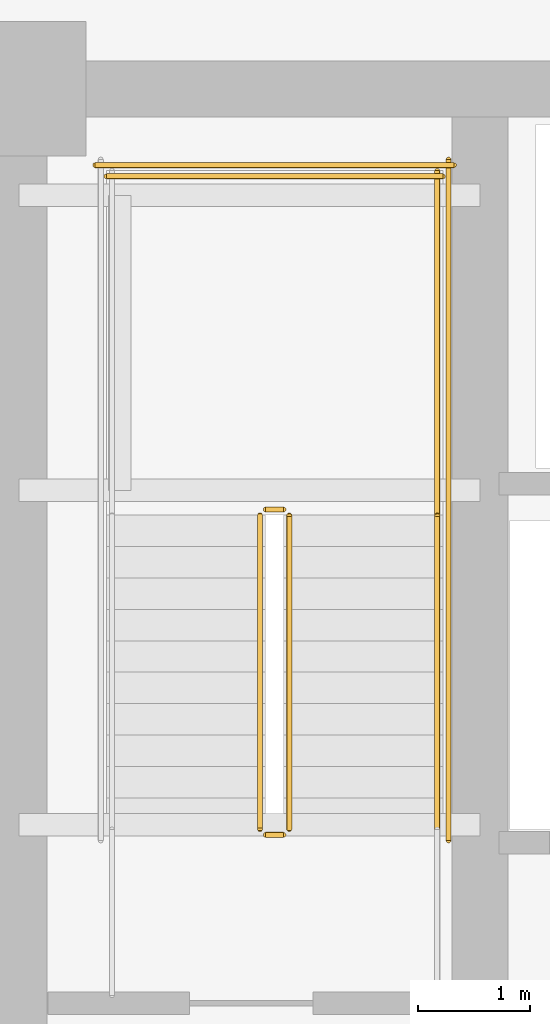
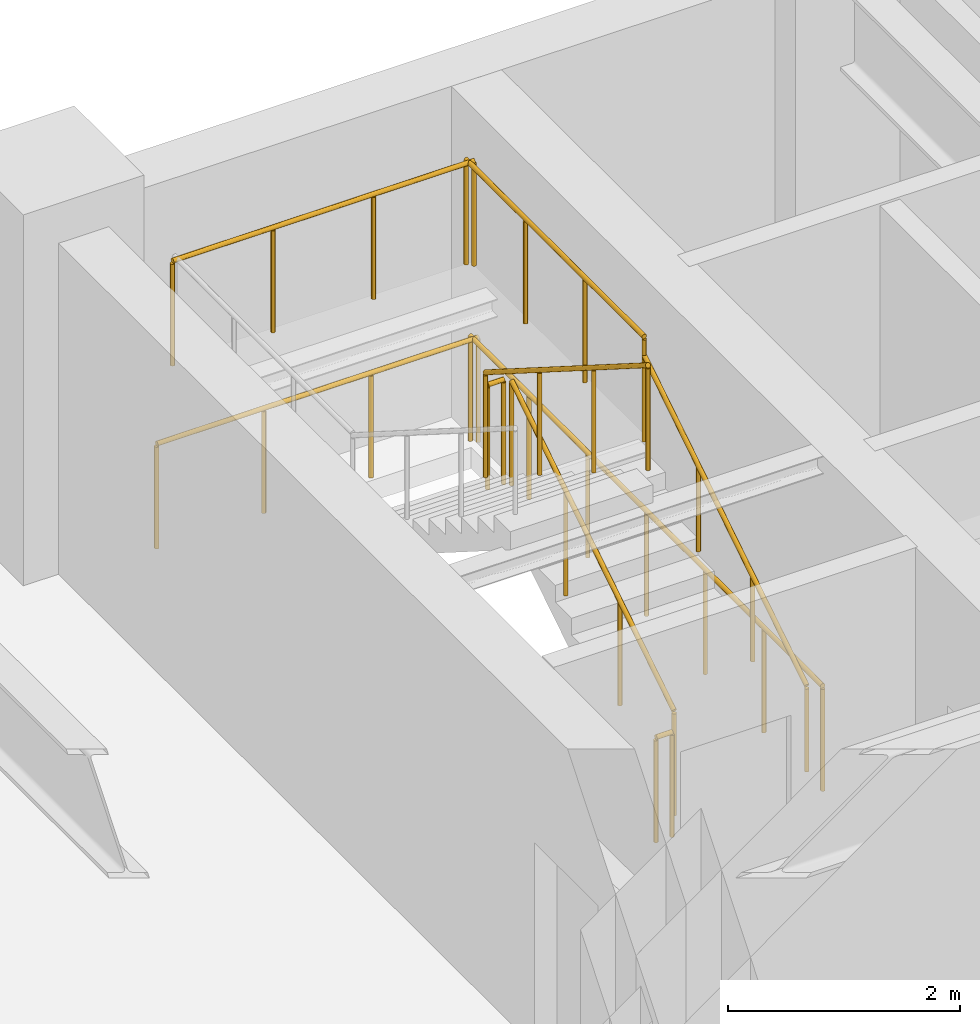
# One storey, part 5 of 7: 9 railings.
"""IFC4 building model written with IfcOpenShell, lengths in metres."""

from ifc_helpers import new_model, si_unit, direction, frame, origin, origin_2d, place, context, subcontext, project, spatial, circle, extrude, material, layer, layer_set, type_object, element, save


model = new_model("IFC4")

# Units and contexts
model_context = context("Model", 3, precision=1e-05, world=origin(), true_north=direction((0.0, 1.0)))
body_context = subcontext(model_context, "Body", "Model", "MODEL_VIEW")
ifc_project = project(units=[si_unit("LENGTHUNIT", "METRE"), si_unit("AREAUNIT", "SQUARE_METRE"), si_unit("VOLUMEUNIT", "CUBIC_METRE"), si_unit("PLANEANGLEUNIT", "RADIAN"), si_unit("MASSUNIT", "GRAM", prefix="KILO")], contexts=[model_context])

# Site, building, storey
site_placement = place(None, origin())
site = spatial("IfcSite", under=ifc_project, at=site_placement, CompositionType="ELEMENT")
building_placement = place(site_placement, origin())
building = spatial("IfcBuilding", under=site, at=building_placement, Name="Yelkora Congress Tower", CompositionType="ELEMENT")
storey_placement = place(building_placement, frame((0.0, 0.0, 81.89990234375)))
storey = spatial("IfcBuildingStorey", under=building, at=storey_placement, Name="L21", CompositionType="ELEMENT", Elevation=81.89990234375)

# Railings
ifc_material_1 = material(Name="Painted galvanised steel stair well guard with vertical infill", Category="steel")
ifc_layer_1 = layer(ifc_material_1, 0.06005859375)
ifc_layer_set_1 = layer_set([ifc_layer_1], Name="Painted galvanised steel stair well guard with vertical infill")
railing_type_1 = type_object("IfcRailingType", Name="RAIL-STAIR-GUARD-1120", PredefinedType="GUARDRAIL", material=ifc_layer_set_1)
railing_1_placement = place(storey_placement, frame((25.449951171875, 39.60009765625, 0.177490234375)))
element("IfcRailing", 1, at=railing_1_placement, inside=storey, type_object=railing_type_1, Name="ST-01 L21 Stair Well Guardrail 1", PredefinedType="GUARDRAIL", context=body_context, shape_type="SweptSolid", body=[
    extrude(circle(Radius=0.02392578125, at=origin_2d()), frame((0.0, 0.0, 1.09619140625), z_axis=(0.0, 0.844887892834, 0.53494340686), x_axis=(-1.0, 0.0, 0.0)), (0.0, 0.0, 1.0), 3.313720703125),
    extrude(circle(Radius=0.02099609375, at=origin_2d()), origin(), (0.0, 0.0, 1.0), 1.072021484375),
    extrude(circle(Radius=0.02099609375, at=origin_2d()), frame((0.0, 0.933349609375, 0.5908203125)), (0.0, 0.0, 1.0), 1.072021484375),
    extrude(circle(Radius=0.02099609375, at=origin_2d()), frame((0.0, 1.866455078125, 1.181884765625)), (0.0, 0.0, 1.0), 1.072021484375),
    extrude(circle(Radius=0.02099609375, at=origin_2d()), frame((0.0, 2.7998046875, 1.772705078125)), (0.0, 0.0, 1.0), 1.072021484375),
])
railing_2_placement = place(storey_placement, frame((25.39990234375, 42.449951171875, 1.9501953125)))
element("IfcRailing", 2, at=railing_2_placement, inside=storey, type_object=railing_type_1, Name="ST-01 L21 Stair Well Guardrail 2", PredefinedType="GUARDRAIL", context=body_context, shape_type="SweptSolid", body=[
    extrude(circle(Radius=0.02392578125, at=origin_2d()), frame((0.0, 0.0, 1.09619140625), z_axis=(-1.0, 0.0, 0.0), x_axis=(0.0, -1.0, 0.0)), (0.0, 0.0, 1.0), 0.159912109375),
    extrude(circle(Radius=0.02099609375, at=origin_2d()), origin(), (0.0, 0.0, 1.0), 1.072021484375),
    extrude(circle(Radius=0.02099609375, at=origin_2d()), frame((-0.159912109375, 0.0, 0.0)), (0.0, 0.0, 1.0), 1.072021484375),
])
railing_3_placement = place(storey_placement, frame((26.77001953125, 42.39990234375, 1.9501953125)))
element("IfcRailing", 3, at=railing_3_placement, inside=storey, type_object=railing_type_1, Name="ST-01 L21 Stair Well Guardrail 3", PredefinedType="GUARDRAIL", context=body_context, shape_type="SweptSolid", body=[
    extrude(circle(Radius=0.02392578125, at=origin_2d()), frame((0.0, 0.0, 1.09619140625), z_axis=(0.0, 1.0, 0.0), x_axis=(-1.0, 0.0, 0.0)), (0.0, 0.0, 1.0), 3.070068359375),
    extrude(circle(Radius=0.02099609375, at=origin_2d()), origin(), (0.0, 0.0, 1.0), 1.072021484375),
    extrude(circle(Radius=0.02099609375, at=origin_2d()), frame((0.0, 1.0234375, 0.0)), (0.0, 0.0, 1.0), 1.072021484375),
    extrude(circle(Radius=0.02099609375, at=origin_2d()), frame((0.0, 2.046630859375, 0.0)), (0.0, 0.0, 1.0), 1.072021484375),
    extrude(circle(Radius=0.02099609375, at=origin_2d()), frame((0.0, 3.070068359375, 0.0)), (0.0, 0.0, 1.0), 1.072021484375),
])
railing_4_placement = place(storey_placement, frame((26.820068359375, 45.419921875, 1.9501953125)))
element("IfcRailing", 4, at=railing_4_placement, inside=storey, type_object=railing_type_1, Name="ST-01 L21 Stair Well Guardrail 5", PredefinedType="GUARDRAIL", context=body_context, shape_type="SweptSolid", body=[
    extrude(circle(Radius=0.02392578125, at=origin_2d()), frame((0.0, 0.0, 1.09619140625), z_axis=(-1.0, 0.0, 0.0), x_axis=(0.0, -1.0, 0.0)), (0.0, 0.0, 1.0), 3.0),
    extrude(circle(Radius=0.02099609375, at=origin_2d()), origin(), (0.0, 0.0, 1.0), 1.072021484375),
    extrude(circle(Radius=0.02099609375, at=origin_2d()), frame((-1.0, 0.0, 0.0)), (0.0, 0.0, 1.0), 1.072021484375),
    extrude(circle(Radius=0.02099609375, at=origin_2d()), frame((-2.0, 0.0, 0.0)), (0.0, 0.0, 1.0), 1.072021484375),
    extrude(circle(Radius=0.02099609375, at=origin_2d()), frame((-3.0, 0.0, 0.0)), (0.0, 0.0, 1.0), 1.072021484375),
])
railing_5_placement = place(storey_placement, frame((25.18994140625, 42.39990234375, 2.12744140625)))
element("IfcRailing", 5, at=railing_5_placement, inside=storey, type_object=railing_type_1, Name="ST-01 L21 Stair Well Guardrail 6", PredefinedType="GUARDRAIL", context=body_context, shape_type="SweptSolid", body=[
    extrude(circle(Radius=0.02392578125, at=origin_2d()), frame((0.0, 0.0, 1.09619140625), z_axis=(0.0, -0.844887892834, 0.53494340686), x_axis=(1.0, 0.0, 0.0)), (0.0, 0.0, 1.0), 3.313720703125),
    extrude(circle(Radius=0.02099609375, at=origin_2d()), origin(), (0.0, 0.0, 1.0), 1.072021484375),
    extrude(circle(Radius=0.02099609375, at=origin_2d()), frame((0.0, -0.933349609375, 0.5908203125)), (0.0, 0.0, 1.0), 1.072021484375),
    extrude(circle(Radius=0.02099609375, at=origin_2d()), frame((0.0, -1.866455078125, 1.181884765625)), (0.0, 0.0, 1.0), 1.072021484375),
    extrude(circle(Radius=0.02099609375, at=origin_2d()), frame((0.0, -2.7998046875, 1.772705078125)), (0.0, 0.0, 1.0), 1.072021484375),
])
railing_6_placement = place(storey_placement, frame((25.39990234375, 39.550048828125, 0.0)))
element("IfcRailing", 6, at=railing_6_placement, inside=storey, type_object=railing_type_1, Name="ST-01 L21 Stair Well Guardrail 7", PredefinedType="GUARDRAIL", context=body_context, shape_type="SweptSolid", body=[
    extrude(circle(Radius=0.02392578125, at=origin_2d()), frame((0.0, 0.0, 1.09619140625), z_axis=(-1.0, 0.0, 0.0), x_axis=(0.0, -1.0, 0.0)), (0.0, 0.0, 1.0), 0.159912109375),
    extrude(circle(Radius=0.02099609375, at=origin_2d()), origin(), (0.0, 0.0, 1.0), 1.072021484375),
    extrude(circle(Radius=0.02099609375, at=origin_2d()), frame((-0.159912109375, 0.0, 0.0)), (0.0, 0.0, 1.0), 1.072021484375),
])
railing_7_placement = place(storey_placement, frame((26.8701171875, 39.5, 0.0)))
element("IfcRailing", 7, at=railing_7_placement, inside=storey, type_object=railing_type_1, Name="ST-01 L21 Stair Well Guardrail 10", PredefinedType="GUARDRAIL", context=body_context, shape_type="SweptSolid", body=[
    extrude(circle(Radius=0.02392578125, at=origin_2d()), frame((0.0, 0.0, 1.09619140625), z_axis=(0.0, 1.0, 0.0), x_axis=(-1.0, 0.0, 0.0)), (0.0, 0.0, 1.0), 6.070068359375),
    extrude(circle(Radius=0.02099609375, at=origin_2d()), origin(), (0.0, 0.0, 1.0), 1.072021484375),
    extrude(circle(Radius=0.02099609375, at=origin_2d()), frame((0.0, 1.01171875, 0.0)), (0.0, 0.0, 1.0), 1.072021484375),
    extrude(circle(Radius=0.02099609375, at=origin_2d()), frame((0.0, 2.0234375, 0.0)), (0.0, 0.0, 1.0), 1.072021484375),
    extrude(circle(Radius=0.02099609375, at=origin_2d()), frame((0.0, 3.03515625, 0.0)), (0.0, 0.0, 1.0), 1.072021484375),
    extrude(circle(Radius=0.02099609375, at=origin_2d()), frame((0.0, 4.046630859375, 0.0)), (0.0, 0.0, 1.0), 1.072021484375),
    extrude(circle(Radius=0.02099609375, at=origin_2d()), frame((0.0, 5.058349609375, 0.0)), (0.0, 0.0, 1.0), 1.072021484375),
    extrude(circle(Radius=0.02099609375, at=origin_2d()), frame((0.0, 6.070068359375, 0.0)), (0.0, 0.0, 1.0), 1.072021484375),
])
railing_8_placement = place(storey_placement, frame((26.919921875, 45.52001953125, 0.0)))
element("IfcRailing", 8, at=railing_8_placement, inside=storey, type_object=railing_type_1, Name="ST-01 L21 Stair Well Guardrail 12", PredefinedType="GUARDRAIL", context=body_context, shape_type="SweptSolid", body=[
    extrude(circle(Radius=0.02392578125, at=origin_2d()), frame((0.0, 0.0, 1.09619140625), z_axis=(-1.0, 0.0, 0.0), x_axis=(0.0, -1.0, 0.0)), (0.0, 0.0, 1.0), 3.199951171875),
    extrude(circle(Radius=0.02099609375, at=origin_2d()), origin(), (0.0, 0.0, 1.0), 1.072021484375),
    extrude(circle(Radius=0.02099609375, at=origin_2d()), frame((-1.066650390625, 0.0, 0.0)), (0.0, 0.0, 1.0), 1.072021484375),
    extrude(circle(Radius=0.02099609375, at=origin_2d()), frame((-2.13330078125, 0.0, 0.0)), (0.0, 0.0, 1.0), 1.072021484375),
    extrude(circle(Radius=0.02099609375, at=origin_2d()), frame((-3.199951171875, 0.0, 0.0)), (0.0, 0.0, 1.0), 1.072021484375),
])
ifc_material_2 = material(Name="Brushed stainless steel tubular handrail", Category="steel")
ifc_layer_2 = layer(ifc_material_2, 0.050048828125)
ifc_layer_set_2 = layer_set([ifc_layer_2], Name="Brushed stainless steel tubular handrail")
railing_type_2 = type_object("IfcRailingType", Name="RAIL-STAIR-HAND-920", PredefinedType="HANDRAIL", material=ifc_layer_set_2)
railing_9_placement = place(storey_placement, frame((26.77001953125, 39.60009765625, 0.177490234375)))
element("IfcRailing", 9, at=railing_9_placement, inside=storey, type_object=railing_type_2, Name="ST-01 L21 Pitch Handrail 1", PredefinedType="HANDRAIL", context=body_context, shape_type="SweptSolid", body=[
    extrude(circle(Radius=0.02392578125, at=origin_2d()), frame((0.0, 0.0, 0.89599609375), z_axis=(0.0, 0.844887892834, 0.53494340686), x_axis=(-1.0, 0.0, 0.0)), (0.0, 0.0, 1.0), 3.313720703125),
    extrude(circle(Radius=0.02099609375, at=origin_2d()), origin(), (0.0, 0.0, 1.0), 0.871826171875),
    extrude(circle(Radius=0.02099609375, at=origin_2d()), frame((0.0, 0.933349609375, 0.5908203125)), (0.0, 0.0, 1.0), 0.871826171875),
    extrude(circle(Radius=0.02099609375, at=origin_2d()), frame((0.0, 1.866455078125, 1.181884765625)), (0.0, 0.0, 1.0), 0.871826171875),
    extrude(circle(Radius=0.02099609375, at=origin_2d()), frame((0.0, 2.7998046875, 1.772705078125)), (0.0, 0.0, 1.0), 0.871826171875),
])

save(model, "model.ifc")
